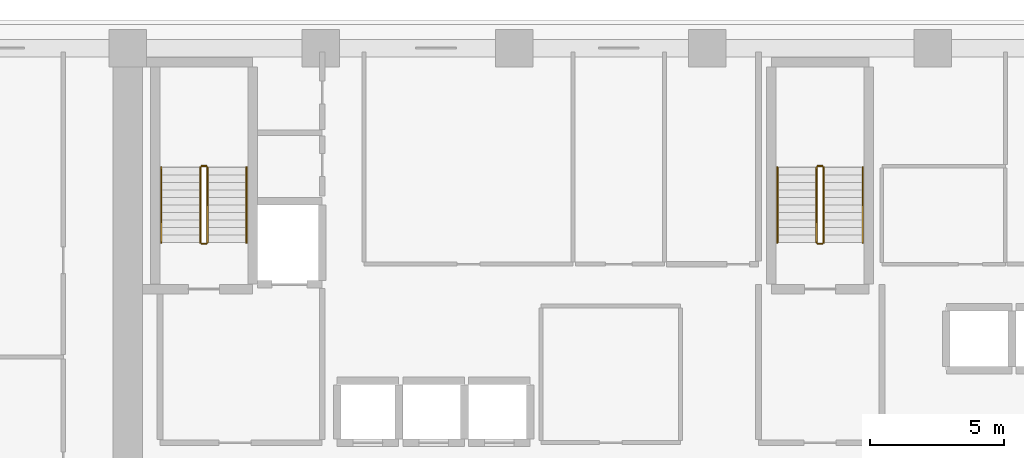
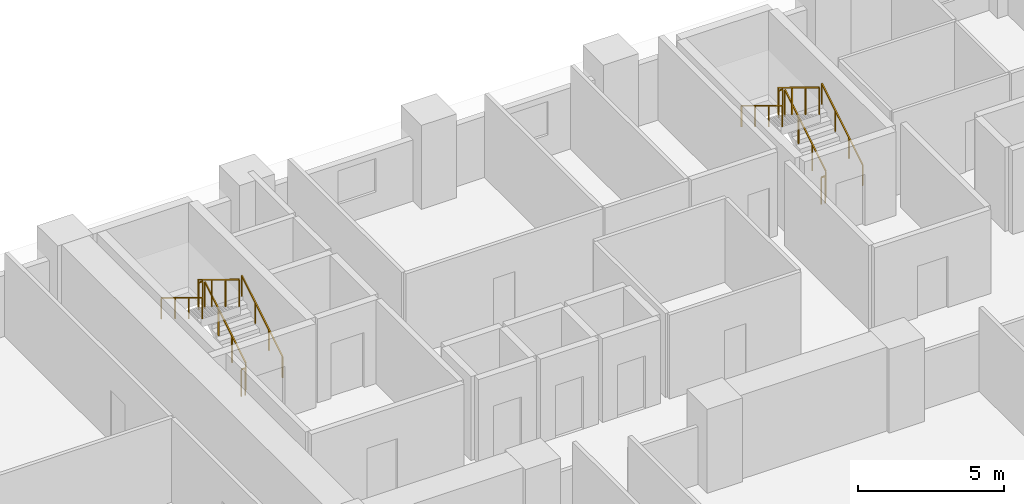
# One storey, part 13 of 15: 12 railings.
"""IFC4 building model written with IfcOpenShell, lengths in metres."""

from ifc_helpers import new_model, si_unit, direction, frame, origin, origin_2d, place, context, subcontext, project, spatial, rectangle, extrude, material, type_object, element, save


model = new_model("IFC4")

# Units and contexts
model_context = context("Model", 3, precision=1e-05, world=origin(), true_north=direction((0.0, 1.0)))
body_context = subcontext(model_context, "Body", "Model", "MODEL_VIEW")
ifc_project = project(units=[si_unit("LENGTHUNIT", "METRE"), si_unit("AREAUNIT", "SQUARE_METRE"), si_unit("VOLUMEUNIT", "CUBIC_METRE"), si_unit("PLANEANGLEUNIT", "RADIAN"), si_unit("MASSUNIT", "GRAM", prefix="KILO")], contexts=[model_context])

# Site, building, storey
site_placement = place(None, origin())
site = spatial("IfcSite", under=ifc_project, at=site_placement, CompositionType="ELEMENT")
building_placement = place(site_placement, origin())
building = spatial("IfcBuilding", under=site, at=building_placement, Name="Kaelvorn Grand Hotel", CompositionType="ELEMENT")
storey_placement = place(building_placement, frame((0.0, 0.0, 42.64990234375)))
storey = spatial("IfcBuildingStorey", under=building, at=storey_placement, Name="L08", CompositionType="ELEMENT", Elevation=42.64990234375)

# Railings
ifc_material = material(Name="Stainless Steel", Category="steel")
railing_type_1 = type_object("IfcRailingType", Name="RL-HANDRAIL-900", PredefinedType="HANDRAIL", material=ifc_material)
railing_1_placement = place(storey_placement, frame((20.6298828125, 41.760009765625, 0.170654296875)))
element("IfcRailing", 1, at=railing_1_placement, inside=storey, type_object=railing_type_1, Name="L08 ST1 stair handrail 1", PredefinedType="HANDRAIL", context=body_context, shape_type="SweptSolid", body=[
    extrude(rectangle(XDim=0.048095703125, YDim=0.048095703125, at=origin_2d()), frame((0.0, 0.0, 0.8759765625), z_axis=(0.0, 0.854202870247, 0.519939858505), x_axis=(-1.0, 0.0, 0.0)), (0.0, 0.0, 1.0), 3.278076171875),
    extrude(rectangle(XDim=0.0419921875, YDim=0.0419921875, at=origin_2d()), origin(), (0.0, 0.0, 1.0), 0.851806640625),
    extrude(rectangle(XDim=0.0419921875, YDim=0.0419921875, at=origin_2d()), frame((0.0, 0.933349609375, 0.568115234375)), (0.0, 0.0, 1.0), 0.851806640625),
    extrude(rectangle(XDim=0.0419921875, YDim=0.0419921875, at=origin_2d()), frame((0.0, 1.86669921875, 1.13623046875)), (0.0, 0.0, 1.0), 0.851806640625),
    extrude(rectangle(XDim=0.0419921875, YDim=0.0419921875, at=origin_2d()), frame((0.0, 2.800048828125, 1.704345703125)), (0.0, 0.0, 1.0), 0.851806640625),
])
railing_2_placement = place(storey_placement, frame((17.449951171875, 44.56005859375, 2.045654296875)))
element("IfcRailing", 2, at=railing_2_placement, inside=storey, type_object=railing_type_1, Name="L08 ST1 stair handrail 2", PredefinedType="HANDRAIL", context=body_context, shape_type="SweptSolid", body=[
    extrude(rectangle(XDim=0.048095703125, YDim=0.048095703125, at=origin_2d()), frame((0.0, 0.0, 0.8759765625), z_axis=(0.0, -0.854202870247, 0.519939858505), x_axis=(1.0, 0.0, 0.0)), (0.0, 0.0, 1.0), 3.278076171875),
    extrude(rectangle(XDim=0.0419921875, YDim=0.0419921875, at=origin_2d()), origin(), (0.0, 0.0, 1.0), 0.851806640625),
    extrude(rectangle(XDim=0.0419921875, YDim=0.0419921875, at=origin_2d()), frame((0.0, -0.933349609375, 0.568115234375)), (0.0, 0.0, 1.0), 0.851806640625),
    extrude(rectangle(XDim=0.0419921875, YDim=0.0419921875, at=origin_2d()), frame((0.0, -1.86669921875, 1.13623046875)), (0.0, 0.0, 1.0), 0.851806640625),
    extrude(rectangle(XDim=0.0419921875, YDim=0.0419921875, at=origin_2d()), frame((0.0, -2.800048828125, 1.704345703125)), (0.0, 0.0, 1.0), 0.851806640625),
])
railing_3_placement = place(storey_placement, frame((43.590087890625, 41.760009765625, 0.170654296875)))
element("IfcRailing", 3, at=railing_3_placement, inside=storey, type_object=railing_type_1, Name="L08 ST2 stair handrail 1", PredefinedType="HANDRAIL", context=body_context, shape_type="SweptSolid", body=[
    extrude(rectangle(XDim=0.048095703125, YDim=0.048095703125, at=origin_2d()), frame((0.0, 0.0, 0.8759765625), z_axis=(0.0, 0.854202870247, 0.519939858505), x_axis=(-1.0, 0.0, 0.0)), (0.0, 0.0, 1.0), 3.278076171875),
    extrude(rectangle(XDim=0.0419921875, YDim=0.0419921875, at=origin_2d()), origin(), (0.0, 0.0, 1.0), 0.851806640625),
    extrude(rectangle(XDim=0.0419921875, YDim=0.0419921875, at=origin_2d()), frame((0.0, 0.933349609375, 0.568115234375)), (0.0, 0.0, 1.0), 0.851806640625),
    extrude(rectangle(XDim=0.0419921875, YDim=0.0419921875, at=origin_2d()), frame((0.0, 1.86669921875, 1.13623046875)), (0.0, 0.0, 1.0), 0.851806640625),
    extrude(rectangle(XDim=0.0419921875, YDim=0.0419921875, at=origin_2d()), frame((0.0, 2.800048828125, 1.704345703125)), (0.0, 0.0, 1.0), 0.851806640625),
])
railing_4_placement = place(storey_placement, frame((40.409912109375, 44.56005859375, 2.045654296875)))
element("IfcRailing", 4, at=railing_4_placement, inside=storey, type_object=railing_type_1, Name="L08 ST2 stair handrail 2", PredefinedType="HANDRAIL", context=body_context, shape_type="SweptSolid", body=[
    extrude(rectangle(XDim=0.048095703125, YDim=0.048095703125, at=origin_2d()), frame((0.0, 0.0, 0.8759765625), z_axis=(0.0, -0.854202870247, 0.519939858505), x_axis=(1.0, 0.0, 0.0)), (0.0, 0.0, 1.0), 3.278076171875),
    extrude(rectangle(XDim=0.0419921875, YDim=0.0419921875, at=origin_2d()), origin(), (0.0, 0.0, 1.0), 0.851806640625),
    extrude(rectangle(XDim=0.0419921875, YDim=0.0419921875, at=origin_2d()), frame((0.0, -0.933349609375, 0.568115234375)), (0.0, 0.0, 1.0), 0.851806640625),
    extrude(rectangle(XDim=0.0419921875, YDim=0.0419921875, at=origin_2d()), frame((0.0, -1.86669921875, 1.13623046875)), (0.0, 0.0, 1.0), 0.851806640625),
    extrude(rectangle(XDim=0.0419921875, YDim=0.0419921875, at=origin_2d()), frame((0.0, -2.800048828125, 1.704345703125)), (0.0, 0.0, 1.0), 0.851806640625),
])
railing_type_2 = type_object("IfcRailingType", Name="RL-STAIR-GUARD-1150", PredefinedType="BALUSTRADE", material=ifc_material)
railing_5_placement = place(storey_placement, frame((19.169921875, 41.760009765625, 0.170654296875)))
element("IfcRailing", 5, at=railing_5_placement, inside=storey, type_object=railing_type_2, Name="L08 ST1 stair guard 1", PredefinedType="BALUSTRADE", context=body_context, shape_type="SweptSolid", body=[
    extrude(rectangle(XDim=0.048095703125, YDim=0.048095703125, at=origin_2d()), frame((0.0, 0.0, 1.1259765625), z_axis=(0.0, 0.854202870247, 0.519939858505), x_axis=(-1.0, 0.0, 0.0)), (0.0, 0.0, 1.0), 3.278076171875),
    extrude(rectangle(XDim=0.0419921875, YDim=0.0419921875, at=origin_2d()), origin(), (0.0, 0.0, 1.0), 1.101806640625),
    extrude(rectangle(XDim=0.0419921875, YDim=0.0419921875, at=origin_2d()), frame((0.0, 0.933349609375, 0.568115234375)), (0.0, 0.0, 1.0), 1.101806640625),
    extrude(rectangle(XDim=0.0419921875, YDim=0.0419921875, at=origin_2d()), frame((0.0, 1.86669921875, 1.13623046875)), (0.0, 0.0, 1.0), 1.101806640625),
    extrude(rectangle(XDim=0.0419921875, YDim=0.0419921875, at=origin_2d()), frame((0.0, 2.800048828125, 1.704345703125)), (0.0, 0.0, 1.0), 1.101806640625),
])
railing_6_placement = place(storey_placement, frame((19.1201171875, 44.610107421875, 1.875)))
element("IfcRailing", 6, at=railing_6_placement, inside=storey, type_object=railing_type_2, Name="L08 ST1 stair guard 2", PredefinedType="BALUSTRADE", context=body_context, shape_type="SweptSolid", body=[
    extrude(rectangle(XDim=0.048095703125, YDim=0.048095703125, at=origin_2d()), frame((0.0, 0.0, 1.1259765625), z_axis=(-1.0, 0.0, 0.0), x_axis=(0.0, -1.0, 0.0)), (0.0, 0.0, 1.0), 0.16015625),
    extrude(rectangle(XDim=0.0419921875, YDim=0.0419921875, at=origin_2d()), origin(), (0.0, 0.0, 1.0), 1.101806640625),
    extrude(rectangle(XDim=0.0419921875, YDim=0.0419921875, at=origin_2d()), frame((-0.16015625, 0.0, 0.0)), (0.0, 0.0, 1.0), 1.101806640625),
])
railing_7_placement = place(storey_placement, frame((18.909912109375, 44.56005859375, 2.045654296875)))
element("IfcRailing", 7, at=railing_7_placement, inside=storey, type_object=railing_type_2, Name="L08 ST1 stair guard 3", PredefinedType="BALUSTRADE", context=body_context, shape_type="SweptSolid", body=[
    extrude(rectangle(XDim=0.048095703125, YDim=0.048095703125, at=origin_2d()), frame((0.0, 0.0, 1.1259765625), z_axis=(0.0, -0.854202870247, 0.519939858505), x_axis=(1.0, 0.0, 0.0)), (0.0, 0.0, 1.0), 3.278076171875),
    extrude(rectangle(XDim=0.0419921875, YDim=0.0419921875, at=origin_2d()), origin(), (0.0, 0.0, 1.0), 1.101806640625),
    extrude(rectangle(XDim=0.0419921875, YDim=0.0419921875, at=origin_2d()), frame((0.0, -0.933349609375, 0.568115234375)), (0.0, 0.0, 1.0), 1.101806640625),
    extrude(rectangle(XDim=0.0419921875, YDim=0.0419921875, at=origin_2d()), frame((0.0, -1.86669921875, 1.13623046875)), (0.0, 0.0, 1.0), 1.101806640625),
    extrude(rectangle(XDim=0.0419921875, YDim=0.0419921875, at=origin_2d()), frame((0.0, -2.800048828125, 1.704345703125)), (0.0, 0.0, 1.0), 1.101806640625),
])
railing_8_placement = place(storey_placement, frame((19.1201171875, 41.7099609375, 0.0)))
element("IfcRailing", 8, at=railing_8_placement, inside=storey, type_object=railing_type_2, Name="L08 ST1 stair guard 4", PredefinedType="BALUSTRADE", context=body_context, shape_type="SweptSolid", body=[
    extrude(rectangle(XDim=0.048095703125, YDim=0.048095703125, at=origin_2d()), frame((0.0, 0.0, 1.1259765625), z_axis=(-1.0, 0.0, 0.0), x_axis=(0.0, -1.0, 0.0)), (0.0, 0.0, 1.0), 0.16015625),
    extrude(rectangle(XDim=0.0419921875, YDim=0.0419921875, at=origin_2d()), origin(), (0.0, 0.0, 1.0), 1.101806640625),
    extrude(rectangle(XDim=0.0419921875, YDim=0.0419921875, at=origin_2d()), frame((-0.16015625, 0.0, 0.0)), (0.0, 0.0, 1.0), 1.101806640625),
])
railing_9_placement = place(storey_placement, frame((42.1298828125, 41.760009765625, 0.170654296875)))
element("IfcRailing", 9, at=railing_9_placement, inside=storey, type_object=railing_type_2, Name="L08 ST2 stair guard 1", PredefinedType="BALUSTRADE", context=body_context, shape_type="SweptSolid", body=[
    extrude(rectangle(XDim=0.048095703125, YDim=0.048095703125, at=origin_2d()), frame((0.0, 0.0, 1.1259765625), z_axis=(0.0, 0.854202870247, 0.519939858505), x_axis=(-1.0, 0.0, 0.0)), (0.0, 0.0, 1.0), 3.278076171875),
    extrude(rectangle(XDim=0.0419921875, YDim=0.0419921875, at=origin_2d()), origin(), (0.0, 0.0, 1.0), 1.101806640625),
    extrude(rectangle(XDim=0.0419921875, YDim=0.0419921875, at=origin_2d()), frame((0.0, 0.933349609375, 0.568115234375)), (0.0, 0.0, 1.0), 1.101806640625),
    extrude(rectangle(XDim=0.0419921875, YDim=0.0419921875, at=origin_2d()), frame((0.0, 1.86669921875, 1.13623046875)), (0.0, 0.0, 1.0), 1.101806640625),
    extrude(rectangle(XDim=0.0419921875, YDim=0.0419921875, at=origin_2d()), frame((0.0, 2.800048828125, 1.704345703125)), (0.0, 0.0, 1.0), 1.101806640625),
])
railing_10_placement = place(storey_placement, frame((42.080078125, 44.610107421875, 1.875)))
element("IfcRailing", 10, at=railing_10_placement, inside=storey, type_object=railing_type_2, Name="L08 ST2 stair guard 2", PredefinedType="BALUSTRADE", context=body_context, shape_type="SweptSolid", body=[
    extrude(rectangle(XDim=0.048095703125, YDim=0.048095703125, at=origin_2d()), frame((0.0, 0.0, 1.1259765625), z_axis=(-1.0, 0.0, 0.0), x_axis=(0.0, -1.0, 0.0)), (0.0, 0.0, 1.0), 0.16015625),
    extrude(rectangle(XDim=0.0419921875, YDim=0.0419921875, at=origin_2d()), origin(), (0.0, 0.0, 1.0), 1.101806640625),
    extrude(rectangle(XDim=0.0419921875, YDim=0.0419921875, at=origin_2d()), frame((-0.16015625, 0.0, 0.0)), (0.0, 0.0, 1.0), 1.101806640625),
])
railing_11_placement = place(storey_placement, frame((41.8701171875, 44.56005859375, 2.045654296875)))
element("IfcRailing", 11, at=railing_11_placement, inside=storey, type_object=railing_type_2, Name="L08 ST2 stair guard 3", PredefinedType="BALUSTRADE", context=body_context, shape_type="SweptSolid", body=[
    extrude(rectangle(XDim=0.048095703125, YDim=0.048095703125, at=origin_2d()), frame((0.0, 0.0, 1.1259765625), z_axis=(0.0, -0.854202870247, 0.519939858505), x_axis=(1.0, 0.0, 0.0)), (0.0, 0.0, 1.0), 3.278076171875),
    extrude(rectangle(XDim=0.0419921875, YDim=0.0419921875, at=origin_2d()), origin(), (0.0, 0.0, 1.0), 1.101806640625),
    extrude(rectangle(XDim=0.0419921875, YDim=0.0419921875, at=origin_2d()), frame((0.0, -0.933349609375, 0.568115234375)), (0.0, 0.0, 1.0), 1.101806640625),
    extrude(rectangle(XDim=0.0419921875, YDim=0.0419921875, at=origin_2d()), frame((0.0, -1.86669921875, 1.13623046875)), (0.0, 0.0, 1.0), 1.101806640625),
    extrude(rectangle(XDim=0.0419921875, YDim=0.0419921875, at=origin_2d()), frame((0.0, -2.800048828125, 1.704345703125)), (0.0, 0.0, 1.0), 1.101806640625),
])
railing_12_placement = place(storey_placement, frame((42.080078125, 41.7099609375, 0.0)))
element("IfcRailing", 12, at=railing_12_placement, inside=storey, type_object=railing_type_2, Name="L08 ST2 stair guard 4", PredefinedType="BALUSTRADE", context=body_context, shape_type="SweptSolid", body=[
    extrude(rectangle(XDim=0.048095703125, YDim=0.048095703125, at=origin_2d()), frame((0.0, 0.0, 1.1259765625), z_axis=(-1.0, 0.0, 0.0), x_axis=(0.0, -1.0, 0.0)), (0.0, 0.0, 1.0), 0.16015625),
    extrude(rectangle(XDim=0.0419921875, YDim=0.0419921875, at=origin_2d()), origin(), (0.0, 0.0, 1.0), 1.101806640625),
    extrude(rectangle(XDim=0.0419921875, YDim=0.0419921875, at=origin_2d()), frame((-0.16015625, 0.0, 0.0)), (0.0, 0.0, 1.0), 1.101806640625),
])

save(model, "model.ifc")
